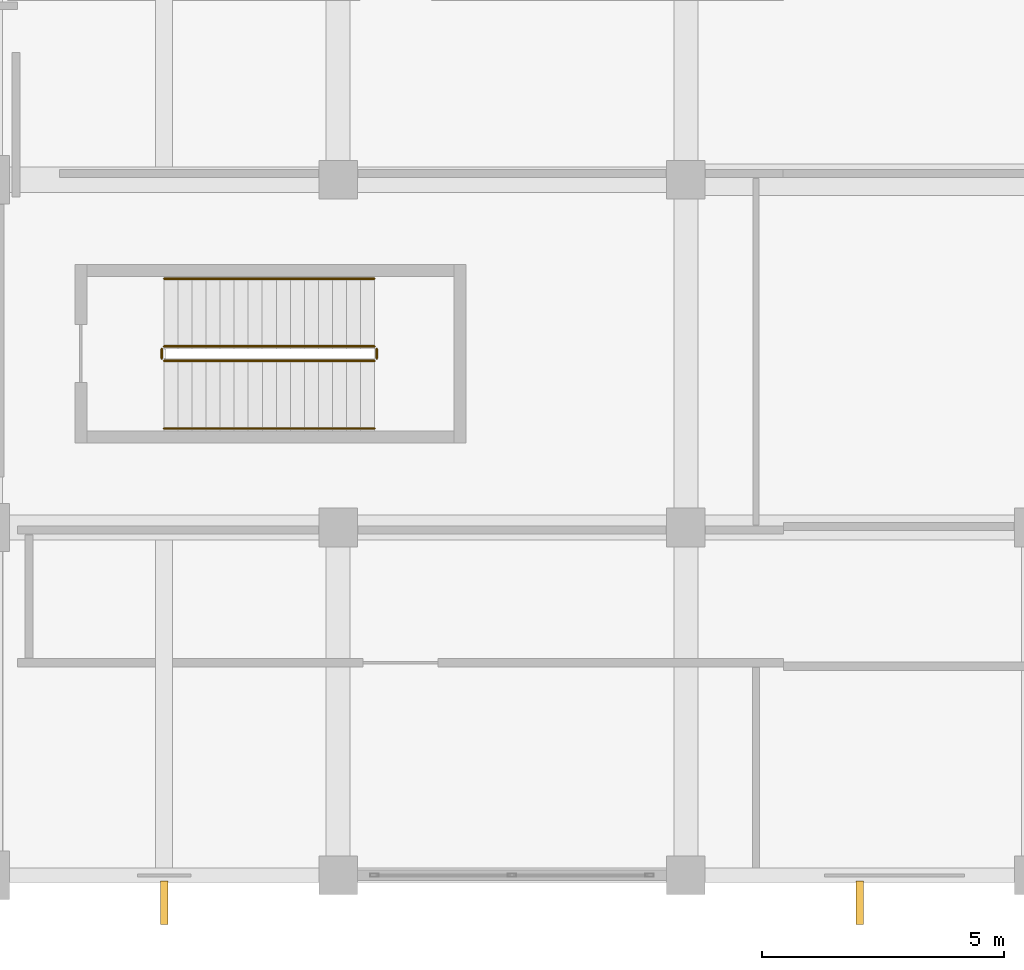
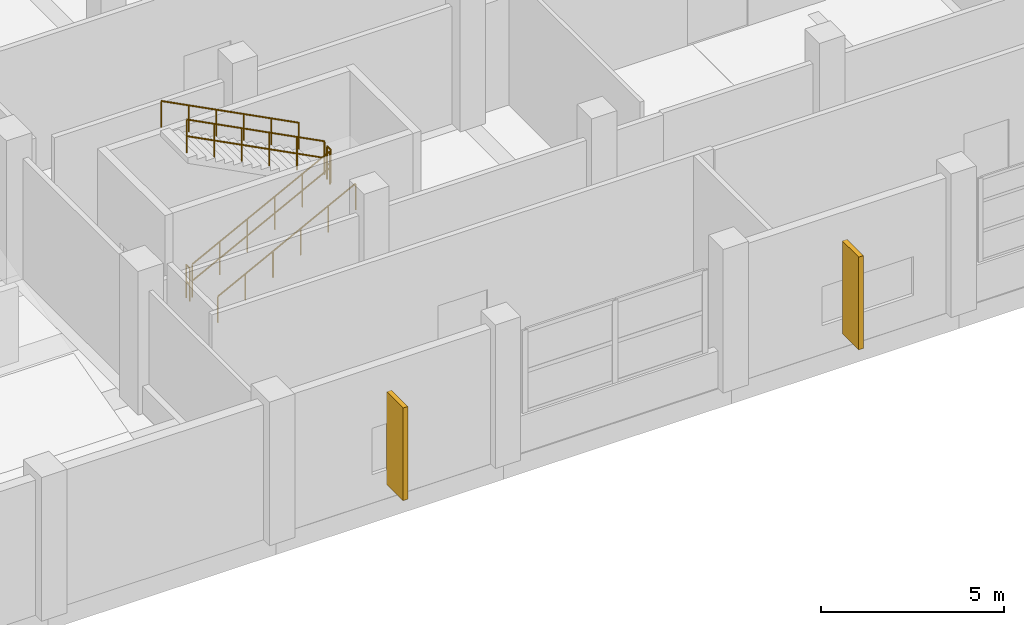
# One storey, part 133 of 140: 6 railings, 2 shading devices.
"""IFC4 building model written with IfcOpenShell, lengths in metres."""

import ifcopenshell
import ifcopenshell.guid

model = None  # the IFC model being written
_history = None  # IfcOwnerHistory: only IFC2X3 demands one
_inside = {}  # id of a spatial element -> (the spatial element, [elements in it])
_under = {}  # id of a project, library or spatial element -> (it, [spatial elements below it])
_declared = {}  # id of a project -> (the project, [libraries it declares])
_typed = {}  # id of a type object -> (the type object, [elements of that type])
_made_of = {}  # id of a material, layer set ... -> (it, [elements and type objects made of it])


def new_model(schema):
    """Start an empty IFC model of exactly this schema.

    Asked for "IFC4X3", IfcOpenShell would pick the latest addendum, in which some entities
    have other attributes; the version numbers below select the first issue.
    IFC2X3 requires an IfcOwnerHistory on every rooted entity: one is made here for all.
    """
    global model, _history
    if schema == "IFC4X3":
        model = ifcopenshell.file(schema_version=(4, 3, 0, 0))
    else:
        model = ifcopenshell.file(schema=schema)
    _inside.clear()
    _under.clear()
    _declared.clear()
    _typed.clear()
    _made_of.clear()
    _history = None
    if model.schema == "IFC2X3":
        org = make("IfcOrganization", Name="unknown")
        user = make(
            "IfcPersonAndOrganization",
            ThePerson=make("IfcPerson", FamilyName="unknown"),
            TheOrganization=org,
        )
        app = make(
            "IfcApplication",
            ApplicationDeveloper=org,
            Version="unknown",
            ApplicationFullName="unknown",
            ApplicationIdentifier="unknown",
        )
        _history = make(
            "IfcOwnerHistory",
            OwningUser=user,
            OwningApplication=app,
            ChangeAction="ADDED",
            CreationDate=0,
        )
    return model


def make(cls, **values):
    """One entity of the class cls with the attributes given. An attribute that is None is left unset."""
    return model.create_entity(
        cls, **{name: value for name, value in values.items() if value is not None}
    )


def rooted(cls, **values):
    """An entity with a GlobalId (a new one), such as an element, a storey or a relation."""
    return make(cls, GlobalId=ifcopenshell.guid.new(), OwnerHistory=_history, **values)


def si_unit(unit_type, name, prefix=None):
    """IfcSIUnit, for example si_unit("LENGTHUNIT", "METRE", prefix="MILLI")."""
    return make("IfcSIUnit", UnitType=unit_type, Prefix=prefix, Name=name)


def assignment(units):
    """IfcUnitAssignment: the units of a project."""
    return None if units is None else make("IfcUnitAssignment", Units=units)


def point(xyz):
    """IfcCartesianPoint."""
    return None if xyz is None else make("IfcCartesianPoint", Coordinates=xyz)


def direction(xyz):
    """IfcDirection."""
    return None if xyz is None else make("IfcDirection", DirectionRatios=xyz)


def frame(location, z_axis=None, x_axis=None):
    """IfcAxis2Placement3D, a coordinate frame: its origin and axes. An axis left out is left unset."""
    return make(
        "IfcAxis2Placement3D",
        Location=point(location),
        Axis=direction(z_axis),
        RefDirection=direction(x_axis),
    )


def frame_2d(location, x_axis=None):
    """IfcAxis2Placement2D, a coordinate frame in the plane: its origin and x axis."""
    return make(
        "IfcAxis2Placement2D", Location=point(location), RefDirection=direction(x_axis)
    )


def origin():
    """The frame at (0, 0, 0) with its axes left unset."""
    return frame((0.0, 0.0, 0.0))


def origin_2d():
    """The frame at (0, 0) in the plane with its x axis left unset."""
    return frame_2d((0.0, 0.0))


def place(relative_to, where):
    """IfcLocalPlacement: puts the frame where relative to a parent placement (None: the world)."""
    return make(
        "IfcLocalPlacement", PlacementRelTo=relative_to, RelativePlacement=where
    )


def context(
    kind, dimensions, precision=None, world=None, true_north=None, identifier=None
):
    """IfcGeometricRepresentationContext, for example the 3D "Model" context."""
    return make(
        "IfcGeometricRepresentationContext",
        ContextIdentifier=identifier,
        ContextType=kind,
        CoordinateSpaceDimension=dimensions,
        Precision=precision,
        WorldCoordinateSystem=world,
        TrueNorth=true_north,
    )


def subcontext(parent, identifier, kind, view, scale=None):
    """IfcGeometricRepresentationSubContext, for example "Body" below "Model"."""
    return make(
        "IfcGeometricRepresentationSubContext",
        ContextIdentifier=identifier,
        ContextType=kind,
        ParentContext=parent,
        TargetScale=scale,
        TargetView=view,
    )


def project(units=None, contexts=None):
    """IfcProject with its units and contexts."""
    return rooted(
        "IfcProject",
        Name="project",
        RepresentationContexts=contexts,
        UnitsInContext=assignment(units),
    )


def spatial(cls, under=None, at=None, **own):
    """A site, building, storey or space (cls), placed at a placement, below another one or the project."""
    s = rooted(cls, ObjectPlacement=at, **own)
    if under is not None:
        _under.setdefault(under.id(), (under, []))[1].append(s)
    return s


def profile(cls, at=None, kind="AREA", **sizes):
    """A parametric profile (cls). Its sizes go by their IFC names, for example OverallWidth=200.0."""
    return make(cls, ProfileType=kind, Position=at, **sizes)


def rectangle(**sizes):
    """IfcRectangleProfileDef."""
    return profile("IfcRectangleProfileDef", **sizes)


def circle(**sizes):
    """IfcCircleProfileDef."""
    return profile("IfcCircleProfileDef", **sizes)


def extrude(swept, where, along, depth):
    """IfcExtrudedAreaSolid: the profile swept, set in the frame where, extruded along a direction by depth."""
    return make(
        "IfcExtrudedAreaSolid",
        SweptArea=swept,
        Position=where,
        ExtrudedDirection=direction(along),
        Depth=depth,
    )


def shape(context_of_items, identifier, shape_type, items):
    """IfcShapeRepresentation: the items that make up one representation, for example the "Body"."""
    return make(
        "IfcShapeRepresentation",
        ContextOfItems=context_of_items,
        RepresentationIdentifier=identifier,
        RepresentationType=shape_type,
        Items=items,
    )


def material(Name=None, Category=None):
    """IfcMaterial."""
    return make("IfcMaterial", Name=Name, Category=Category)


def made_of(thing, what):
    """Note that an element or type object is made of a material, layer set ...; save() writes the relation."""
    if what is not None:
        _made_of.setdefault(what.id(), (what, []))[1].append(thing)
    return thing


def type_object(cls, material=None, **own):
    """A type object (cls), such as IfcWallType, which elements share."""
    return made_of(rooted(cls, **own), material)


def element(
    cls,
    number,
    at=None,
    inside=None,
    cuts=None,
    type_object=None,
    material=None,
    context=None,
    identifier="Body",
    shape_type=None,
    held_by="IfcProductDefinitionShape",
    body=None,
    shapes=None,
    **own,
):
    """One element of the class cls, such as IfcWall. Its Tag is "e" and its number.

    at: its placement. inside: the storey or other place that contains it. cuts: it is an
    opening in that element (IfcRelVoidsElement). A single representation is given by context,
    identifier, shape_type and body (its items); several are given by shapes. held_by: the class
    of the entity that holds the representations. save() writes the other relations.
    """
    e = rooted(cls, Tag="e%d" % number, ObjectPlacement=at, **own)
    if body is not None:
        shapes = [shape(context, identifier, shape_type, body)]
    if shapes is not None:
        e.Representation = make(held_by, Representations=shapes)
    if inside is not None:
        _inside.setdefault(inside.id(), (inside, []))[1].append(e)
    if cuts is not None:
        rooted(
            "IfcRelVoidsElement", RelatingBuildingElement=cuts, RelatedOpeningElement=e
        )
    if type_object is not None:
        _typed.setdefault(type_object.id(), (type_object, []))[1].append(e)
    return made_of(e, material)


def aggregate(whole, parts):
    """IfcRelAggregates: a whole, such as a stair, and the parts it consists of."""
    return rooted("IfcRelAggregates", RelatingObject=whole, RelatedObjects=parts)


def save(model, path):
    """Write the relations noted so far, then the file.

    IfcRelAggregates (storeys below a building ...), IfcRelContainedInSpatialStructure (elements
    in a storey), IfcRelDefinesByType, IfcRelAssociatesMaterial and IfcRelDeclares: one each for
    every whole, place, type object, material and project.
    """
    for whole, parts in _under.values():
        aggregate(whole, parts)
    for where, things in _inside.values():
        rooted(
            "IfcRelContainedInSpatialStructure",
            RelatedElements=things,
            RelatingStructure=where,
        )
    for kind, things in _typed.values():
        rooted("IfcRelDefinesByType", RelatedObjects=things, RelatingType=kind)
    for what, things in _made_of.values():
        rooted("IfcRelAssociatesMaterial", RelatedObjects=things, RelatingMaterial=what)
    for by, libraries in _declared.values():
        rooted("IfcRelDeclares", RelatingContext=by, RelatedDefinitions=libraries)
    model.write(path)


model = new_model("IFC4")

# Units and contexts
model_context = context("Model", 3, precision=1e-05, world=origin(), true_north=direction((0.0, 1.0)))
body_context = subcontext(model_context, "Body", "Model", "MODEL_VIEW")
ifc_project = project(units=[si_unit("LENGTHUNIT", "METRE"), si_unit("AREAUNIT", "SQUARE_METRE"), si_unit("VOLUMEUNIT", "CUBIC_METRE"), si_unit("PLANEANGLEUNIT", "RADIAN"), si_unit("MASSUNIT", "GRAM", prefix="KILO")], contexts=[model_context])

# Site, building, storey
site_placement = place(None, origin())
site = spatial("IfcSite", under=ifc_project, at=site_placement, CompositionType="ELEMENT")
building_placement = place(site_placement, origin())
building = spatial("IfcBuilding", under=site, at=building_placement, Name="Seraya Terrace Polytechnic", CompositionType="ELEMENT")
storey_placement = place(building_placement, frame((0.0, 0.0, 9.60009765625)))
storey = spatial("IfcBuildingStorey", under=building, at=storey_placement, Name="L02", CompositionType="ELEMENT", Elevation=9.60009765625)

# Shading devices
ifc_material_1 = material(Name="Precast concrete C40/50", Category="concrete")
shading_device_type = type_object("IfcShadingDeviceType", Name="BS-F1", PredefinedType="JALOUSIE", material=ifc_material_1)
for number, where, z_axis, x_axis, name in (
    (1, (61.199951171875, -0.570068359375, 0.449951171875), (0.0, 0.0, 1.0), (0.0, -1.0, 0.0), "Precast concrete brise-soleil fin L02"),
    (2, (46.800048828125, -0.570068359375, 0.449951171875), (0.0, 0.0, 1.0), (0.0, -1.0, 0.0), "Precast concrete brise-soleil fin L02"),
):
    element("IfcShadingDevice", number, at=place(storey_placement, frame(where, z_axis=z_axis, x_axis=x_axis)), inside=storey, type_object=shading_device_type, Name=name, PredefinedType="JALOUSIE", context=body_context, shape_type="SweptSolid", body=[
        extrude(rectangle(XDim=0.89990234375, YDim=0.14990234375, at=origin_2d()), origin(), (0.0, 0.0, 1.0), 3.10009765625),
    ])

# Railings
ifc_material_2 = material(Name="Steel S355J2", Category="steel")
railing_type_1 = type_object("IfcRailingType", Name="GR-02", PredefinedType="GUARDRAIL", material=ifc_material_2)
railing_1_placement = place(storey_placement, frame((46.800048828125, 10.64990234375, 0.14990234375)))
element("IfcRailing", 3, at=railing_1_placement, inside=storey, type_object=railing_type_1, Name="L02 ST-03 stair guard 1", PredefinedType="GUARDRAIL", context=body_context, shape_type="SweptSolid", body=[
    extrude(circle(Radius=0.02392578125, at=origin_2d()), frame((0.0, 0.0, 1.10595703125), z_axis=(0.888211329745, 0.0, 0.459435124596), x_axis=(0.0, 1.0, 0.0)), (0.0, 0.0, 1.0), 4.897216796875),
    extrude(circle(Radius=0.02392578125, at=origin_2d()), frame((0.0, 0.0, 0.550048828125), z_axis=(0.888211329745, 0.0, 0.459435124596), x_axis=(0.0, 1.0, 0.0)), (0.0, 0.0, 1.0), 4.897216796875),
    extrude(circle(Radius=0.02099609375, at=origin_2d()), origin(), (0.0, 0.0, 1.0), 1.081787109375),
    extrude(circle(Radius=0.02099609375, at=origin_2d()), frame((0.869873046875, 0.0, 0.449951171875)), (0.0, 0.0, 1.0), 1.081787109375),
    extrude(circle(Radius=0.02099609375, at=origin_2d()), frame((1.739990234375, 0.0, 0.89990234375)), (0.0, 0.0, 1.0), 1.081787109375),
    extrude(circle(Radius=0.02099609375, at=origin_2d()), frame((2.60986328125, 0.0, 1.35009765625)), (0.0, 0.0, 1.0), 1.081787109375),
    extrude(circle(Radius=0.02099609375, at=origin_2d()), frame((3.47998046875, 0.0, 1.800048828125)), (0.0, 0.0, 1.0), 1.081787109375),
    extrude(circle(Radius=0.02099609375, at=origin_2d()), frame((4.349853515625, 0.0, 2.25)), (0.0, 0.0, 1.0), 1.081787109375),
])
railing_2_placement = place(storey_placement, frame((51.199951171875, 10.699951171875, 2.39990234375)))
element("IfcRailing", 4, at=railing_2_placement, inside=storey, type_object=railing_type_1, Name="L02 ST-03 stair guard 2", PredefinedType="GUARDRAIL", context=body_context, shape_type="SweptSolid", body=[
    extrude(circle(Radius=0.02392578125, at=origin_2d()), frame((0.0, 0.0, 1.10595703125), z_axis=(0.0, 1.0, 0.0), x_axis=(-1.0, 0.0, 0.0)), (0.0, 0.0, 1.0), 0.199951171875),
    extrude(circle(Radius=0.02392578125, at=origin_2d()), frame((0.0, 0.0, 0.550048828125), z_axis=(0.0, 1.0, 0.0), x_axis=(-1.0, 0.0, 0.0)), (0.0, 0.0, 1.0), 0.199951171875),
    extrude(circle(Radius=0.02099609375, at=origin_2d()), origin(), (0.0, 0.0, 1.0), 1.081787109375),
    extrude(circle(Radius=0.02099609375, at=origin_2d()), frame((0.0, 0.199951171875, 0.0)), (0.0, 0.0, 1.0), 1.081787109375),
])
railing_3_placement = place(storey_placement, frame((51.14990234375, 10.949951171875, 2.5498046875)))
element("IfcRailing", 5, at=railing_3_placement, inside=storey, type_object=railing_type_1, Name="L02 ST-03 stair guard 3", PredefinedType="GUARDRAIL", context=body_context, shape_type="SweptSolid", body=[
    extrude(circle(Radius=0.02392578125, at=origin_2d()), frame((0.0, 0.0, 1.10595703125), z_axis=(-0.888211329745, 0.0, 0.459435124596), x_axis=(0.0, -1.0, 0.0)), (0.0, 0.0, 1.0), 4.897216796875),
    extrude(circle(Radius=0.02392578125, at=origin_2d()), frame((0.0, 0.0, 0.550048828125), z_axis=(-0.888211329745, 0.0, 0.459435124596), x_axis=(0.0, -1.0, 0.0)), (0.0, 0.0, 1.0), 4.897216796875),
    extrude(circle(Radius=0.02099609375, at=origin_2d()), origin(), (0.0, 0.0, 1.0), 1.081787109375),
    extrude(circle(Radius=0.02099609375, at=origin_2d()), frame((-0.869873046875, 0.0, 0.449951171875)), (0.0, 0.0, 1.0), 1.081787109375),
    extrude(circle(Radius=0.02099609375, at=origin_2d()), frame((-1.739990234375, 0.0, 0.89990234375)), (0.0, 0.0, 1.0), 1.081787109375),
    extrude(circle(Radius=0.02099609375, at=origin_2d()), frame((-2.60986328125, 0.0, 1.35009765625)), (0.0, 0.0, 1.0), 1.081787109375),
    extrude(circle(Radius=0.02099609375, at=origin_2d()), frame((-3.47998046875, 0.0, 1.800048828125)), (0.0, 0.0, 1.0), 1.081787109375),
    extrude(circle(Radius=0.02099609375, at=origin_2d()), frame((-4.349853515625, 0.0, 2.25)), (0.0, 0.0, 1.0), 1.081787109375),
])
railing_4_placement = place(storey_placement, frame((46.75, 10.699951171875, 0.0)))
element("IfcRailing", 6, at=railing_4_placement, inside=storey, type_object=railing_type_1, Name="L02 ST-03 stair guard 4", PredefinedType="GUARDRAIL", context=body_context, shape_type="SweptSolid", body=[
    extrude(circle(Radius=0.02392578125, at=origin_2d()), frame((0.0, 0.0, 1.10595703125), z_axis=(0.0, 1.0, 0.0), x_axis=(-1.0, 0.0, 0.0)), (0.0, 0.0, 1.0), 0.199951171875),
    extrude(circle(Radius=0.02392578125, at=origin_2d()), frame((0.0, 0.0, 0.550048828125), z_axis=(0.0, 1.0, 0.0), x_axis=(-1.0, 0.0, 0.0)), (0.0, 0.0, 1.0), 0.199951171875),
    extrude(circle(Radius=0.02099609375, at=origin_2d()), origin(), (0.0, 0.0, 1.0), 1.081787109375),
    extrude(circle(Radius=0.02099609375, at=origin_2d()), frame((0.0, 0.199951171875, 0.0)), (0.0, 0.0, 1.0), 1.081787109375),
])
railing_type_2 = type_object("IfcRailingType", Name="HR-01", PredefinedType="HANDRAIL", material=ifc_material_2)
railing_5_placement = place(storey_placement, frame((46.800048828125, 9.25, 0.14990234375)))
element("IfcRailing", 7, at=railing_5_placement, inside=storey, type_object=railing_type_2, Name="L02 ST-03 stair handrail 1", PredefinedType="HANDRAIL", context=body_context, shape_type="SweptSolid", body=[
    extrude(circle(Radius=0.02392578125, at=origin_2d()), frame((0.0, 0.0, 0.8759765625), z_axis=(0.888211329745, 0.0, 0.459435124596), x_axis=(0.0, 1.0, 0.0)), (0.0, 0.0, 1.0), 4.897216796875),
    extrude(circle(Radius=0.02099609375, at=origin_2d()), origin(), (0.0, 0.0, 1.0), 0.851806640625),
    extrude(circle(Radius=0.02099609375, at=origin_2d()), frame((0.869873046875, 0.0, 0.449951171875)), (0.0, 0.0, 1.0), 0.851806640625),
    extrude(circle(Radius=0.02099609375, at=origin_2d()), frame((1.739990234375, 0.0, 0.89990234375)), (0.0, 0.0, 1.0), 0.851806640625),
    extrude(circle(Radius=0.02099609375, at=origin_2d()), frame((2.60986328125, 0.0, 1.35009765625)), (0.0, 0.0, 1.0), 0.851806640625),
    extrude(circle(Radius=0.02099609375, at=origin_2d()), frame((3.47998046875, 0.0, 1.800048828125)), (0.0, 0.0, 1.0), 0.851806640625),
    extrude(circle(Radius=0.02099609375, at=origin_2d()), frame((4.349853515625, 0.0, 2.25)), (0.0, 0.0, 1.0), 0.851806640625),
])
railing_6_placement = place(storey_placement, frame((51.14990234375, 12.35009765625, 2.5498046875)))
element("IfcRailing", 8, at=railing_6_placement, inside=storey, type_object=railing_type_2, Name="L02 ST-03 stair handrail 2", PredefinedType="HANDRAIL", context=body_context, shape_type="SweptSolid", body=[
    extrude(circle(Radius=0.02392578125, at=origin_2d()), frame((0.0, 0.0, 0.8759765625), z_axis=(-0.888211329745, 0.0, 0.459435124596), x_axis=(0.0, -1.0, 0.0)), (0.0, 0.0, 1.0), 4.897216796875),
    extrude(circle(Radius=0.02099609375, at=origin_2d()), origin(), (0.0, 0.0, 1.0), 0.851806640625),
    extrude(circle(Radius=0.02099609375, at=origin_2d()), frame((-0.869873046875, 0.0, 0.449951171875)), (0.0, 0.0, 1.0), 0.851806640625),
    extrude(circle(Radius=0.02099609375, at=origin_2d()), frame((-1.739990234375, 0.0, 0.89990234375)), (0.0, 0.0, 1.0), 0.851806640625),
    extrude(circle(Radius=0.02099609375, at=origin_2d()), frame((-2.60986328125, 0.0, 1.35009765625)), (0.0, 0.0, 1.0), 0.851806640625),
    extrude(circle(Radius=0.02099609375, at=origin_2d()), frame((-3.47998046875, 0.0, 1.800048828125)), (0.0, 0.0, 1.0), 0.851806640625),
    extrude(circle(Radius=0.02099609375, at=origin_2d()), frame((-4.349853515625, 0.0, 2.25)), (0.0, 0.0, 1.0), 0.851806640625),
])

save(model, "model.ifc")
